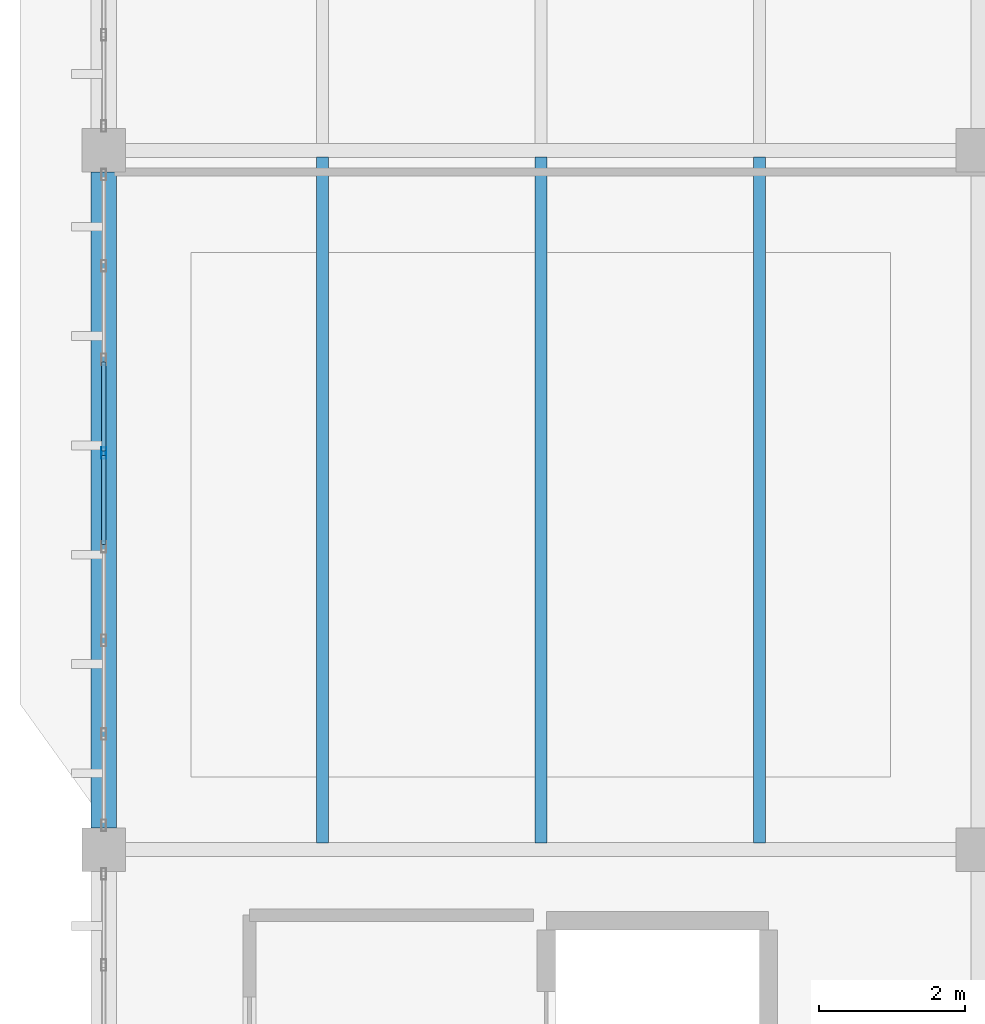
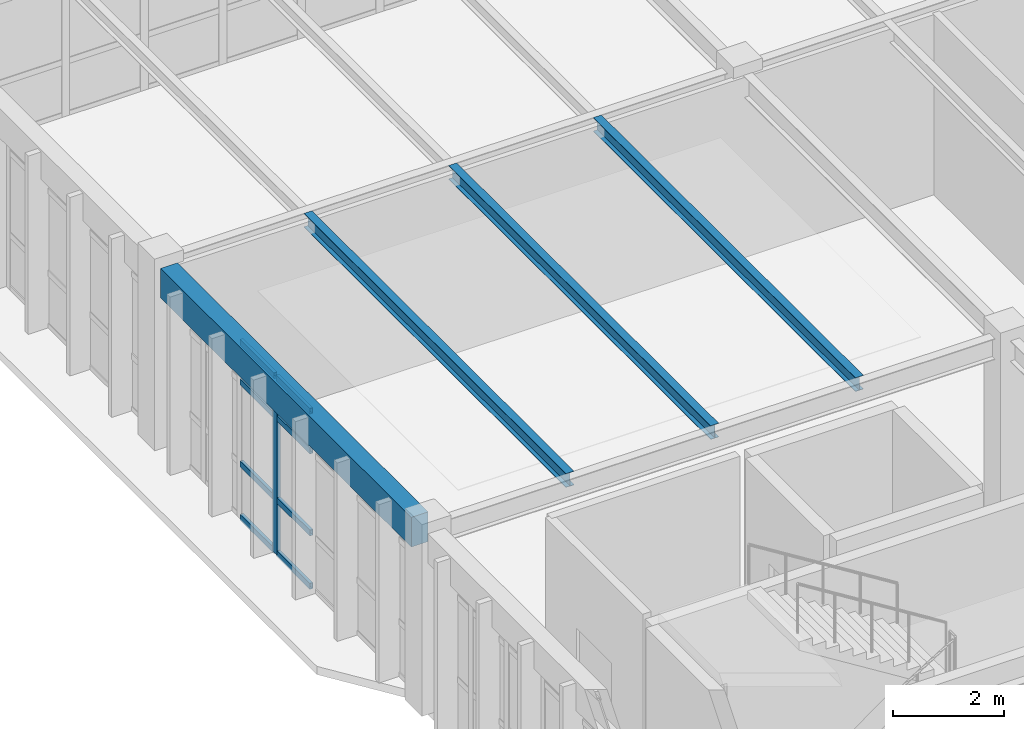
# One storey, part 12 of 37: 9 members, 4 beams, 1 element without a shape of its own.
"""IFC4 building model written with IfcOpenShell, lengths in metres."""

from ifc_helpers import new_model, si_unit, direction, frame, origin, origin_2d, place, context, subcontext, project, spatial, rectangle, hollow_rectangle, i_section, extrude, material, layer, layer_set, material_profile, profile_set, type_object, element, aggregate, save


model = new_model("IFC4")

# Units and contexts
model_context = context("Model", 3, precision=1e-05, world=origin(), true_north=direction((0.0, 1.0)))
body_context = subcontext(model_context, "Body", "Model", "MODEL_VIEW")
ifc_project = project(units=[si_unit("LENGTHUNIT", "METRE"), si_unit("AREAUNIT", "SQUARE_METRE"), si_unit("VOLUMEUNIT", "CUBIC_METRE"), si_unit("PLANEANGLEUNIT", "RADIAN"), si_unit("MASSUNIT", "GRAM", prefix="KILO")], contexts=[model_context])

# Site, building, storey
site_placement = place(None, origin())
site = spatial("IfcSite", under=ifc_project, at=site_placement, CompositionType="ELEMENT")
building_placement = place(site_placement, origin())
building = spatial("IfcBuilding", under=site, at=building_placement, Name="Pandanus Reach Market Hall", CompositionType="ELEMENT")
storey_placement = place(building_placement, frame((0.0, 0.0, 14.39990234375)))
storey = spatial("IfcBuildingStorey", under=building, at=storey_placement, Name="L03", CompositionType="ELEMENT", Elevation=14.39990234375)

# Beam
ifc_material_1 = material(Name="Concrete N40 (40 MPa)", Category="concrete")
ifc_material_profile_1 = material_profile(ifc_material_1, rectangle(XDim=0.35009765625, YDim=0.64990234375, at=origin_2d()), Name="RC350x650", Category="LoadBearing")
ifc_profile_set_1 = profile_set([ifc_material_profile_1], Name="Concrete N40 (40 MPa)")
beam_type_1 = type_object("IfcBeamType", Name="BM-RC350-E", PredefinedType="SPANDREL", material=ifc_profile_set_1)
beam_placement = place(storey_placement, frame((144.0, 57.89794921875, 3.630126953125), z_axis=(0.0, 1.0, 0.0), x_axis=(-1.0, 0.0, 0.0)))
element("IfcBeam", 1, at=beam_placement, inside=storey, type_object=beam_type_1, Name="Framing beam BM-RC350-E L03.557", PredefinedType="SPANDREL", context=body_context, shape_type="SweptSolid", body=[
    extrude(rectangle(XDim=0.35009765625, YDim=0.64990234375, at=origin_2d()), origin(), (0.0, 0.0, 1.0), 9.004150390625),
])

# Curtain wall, members
ifc_material_2 = material(Name="Bronze anodised aluminium and low-E glass", Category="aluminium")
ifc_layer = layer(ifc_material_2, 0.159912109375, Name="CW-33")
ifc_layer_set = layer_set([ifc_layer], Name="Bronze anodised aluminium and low-E glass")
curtain_wall_type = type_object("IfcCurtainWallType", Name="CW-33", PredefinedType="NOTDEFINED", material=ifc_layer_set)
curtain_wall_placement = place(storey_placement, origin())
curtain_wall = element("IfcCurtainWall", 2, at=curtain_wall_placement, inside=storey, type_object=curtain_wall_type, Name="Glazed curtain wall CW-33 CW-0125", PredefinedType="NOTDEFINED")
ifc_material_3 = material(Name="Bronze anodised aluminium", Category="aluminium")
ifc_material_profile_2 = material_profile(ifc_material_3, hollow_rectangle(XDim=0.06494140625, YDim=0.159912109375, WallThickness=0.00390625, at=origin_2d()), Name="ALU65x160", Category="LoadBearing")
ifc_profile_set_2 = profile_set([ifc_material_profile_2], Name="Bronze anodised aluminium")
member_type_1 = type_object("IfcMemberType", Name="CW-M1", PredefinedType="MULLION", material=ifc_profile_set_2)
member_1_placement = place(storey_placement, frame((144.0, 63.04296875, 0.0), z_axis=(0.0, 0.0, 1.0), x_axis=(-1.0, 0.0, 0.0)))
member_1 = element("IfcMember", 3, at=member_1_placement, type_object=member_type_1, Name="CW-33 mullion 5", PredefinedType="MULLION", context=body_context, shape_type="SweptSolid", body=[
    extrude(hollow_rectangle(XDim=0.06494140625, YDim=0.159912109375, WallThickness=0.00390625, at=origin_2d()), origin(), (0.0, 0.0, 1.0), 3.900146484375),
])
ifc_material_profile_3 = material_profile(ifc_material_3, hollow_rectangle(XDim=0.06494140625, YDim=0.1298828125, WallThickness=0.00390625, at=origin_2d()), Name="ALU65x130", Category="LoadBearing")
ifc_profile_set_3 = profile_set([ifc_material_profile_3], Name="Bronze anodised aluminium")
member_type_2 = type_object("IfcMemberType", Name="CW-T1", PredefinedType="USERDEFINED", material=ifc_profile_set_3)
member_2_placement = place(storey_placement, frame((144.0, 61.78955078125, 0.03271484375), z_axis=(0.0, 1.0, 0.0), x_axis=(-1.0, 0.0, 0.0)))
member_2 = element("IfcMember", 4, at=member_2_placement, type_object=member_type_2, Name="CW-33 transom 4.1", ObjectType="TRANSOM", PredefinedType="USERDEFINED", context=body_context, shape_type="SweptSolid", body=[
    extrude(hollow_rectangle(XDim=0.06494140625, YDim=0.1298828125, WallThickness=0.00390625, at=origin_2d()), origin(), (0.0, 0.0, 1.0), 1.220703125),
])
member_3_placement = place(storey_placement, frame((144.0, 61.78955078125, 1.2001953125), z_axis=(0.0, 1.0, 0.0), x_axis=(-1.0, 0.0, 0.0)))
member_3 = element("IfcMember", 5, at=member_3_placement, type_object=member_type_2, Name="CW-33 transom 4.2", ObjectType="TRANSOM", PredefinedType="USERDEFINED", context=body_context, shape_type="SweptSolid", body=[
    extrude(hollow_rectangle(XDim=0.06494140625, YDim=0.1298828125, WallThickness=0.00390625, at=origin_2d()), origin(), (0.0, 0.0, 1.0), 1.220703125),
])
member_4_placement = place(storey_placement, frame((144.0, 61.78955078125, 3.0), z_axis=(0.0, 1.0, 0.0), x_axis=(-1.0, 0.0, 0.0)))
member_4 = element("IfcMember", 6, at=member_4_placement, type_object=member_type_2, Name="CW-33 transom 4.3", ObjectType="TRANSOM", PredefinedType="USERDEFINED", context=body_context, shape_type="SweptSolid", body=[
    extrude(hollow_rectangle(XDim=0.06494140625, YDim=0.1298828125, WallThickness=0.00390625, at=origin_2d()), origin(), (0.0, 0.0, 1.0), 1.220703125),
])
member_5_placement = place(storey_placement, frame((144.0, 61.78955078125, 3.86767578125), z_axis=(0.0, 1.0, 0.0), x_axis=(-1.0, 0.0, 0.0)))
member_5 = element("IfcMember", 7, at=member_5_placement, type_object=member_type_2, Name="CW-33 transom 4.4", ObjectType="TRANSOM", PredefinedType="USERDEFINED", context=body_context, shape_type="SweptSolid", body=[
    extrude(hollow_rectangle(XDim=0.06494140625, YDim=0.1298828125, WallThickness=0.00390625, at=origin_2d()), origin(), (0.0, 0.0, 1.0), 1.220703125),
])
member_6_placement = place(storey_placement, frame((144.0, 63.075439453125, 0.03271484375), z_axis=(0.0, 1.0, 0.0), x_axis=(-1.0, 0.0, 0.0)))
member_6 = element("IfcMember", 8, at=member_6_placement, type_object=member_type_2, Name="CW-33 transom 5.1", ObjectType="TRANSOM", PredefinedType="USERDEFINED", context=body_context, shape_type="SweptSolid", body=[
    extrude(hollow_rectangle(XDim=0.06494140625, YDim=0.1298828125, WallThickness=0.00390625, at=origin_2d()), origin(), (0.0, 0.0, 1.0), 1.220703125),
])
member_7_placement = place(storey_placement, frame((144.0, 63.075439453125, 1.2001953125), z_axis=(0.0, 1.0, 0.0), x_axis=(-1.0, 0.0, 0.0)))
member_7 = element("IfcMember", 9, at=member_7_placement, type_object=member_type_2, Name="CW-33 transom 5.2", ObjectType="TRANSOM", PredefinedType="USERDEFINED", context=body_context, shape_type="SweptSolid", body=[
    extrude(hollow_rectangle(XDim=0.06494140625, YDim=0.1298828125, WallThickness=0.00390625, at=origin_2d()), origin(), (0.0, 0.0, 1.0), 1.220703125),
])
member_8_placement = place(storey_placement, frame((144.0, 63.075439453125, 3.0), z_axis=(0.0, 1.0, 0.0), x_axis=(-1.0, 0.0, 0.0)))
member_8 = element("IfcMember", 10, at=member_8_placement, type_object=member_type_2, Name="CW-33 transom 5.3", ObjectType="TRANSOM", PredefinedType="USERDEFINED", context=body_context, shape_type="SweptSolid", body=[
    extrude(hollow_rectangle(XDim=0.06494140625, YDim=0.1298828125, WallThickness=0.00390625, at=origin_2d()), origin(), (0.0, 0.0, 1.0), 1.220703125),
])
member_9_placement = place(storey_placement, frame((144.0, 63.075439453125, 3.86767578125), z_axis=(0.0, 1.0, 0.0), x_axis=(-1.0, 0.0, 0.0)))
member_9 = element("IfcMember", 11, at=member_9_placement, type_object=member_type_2, Name="CW-33 transom 5.4", ObjectType="TRANSOM", PredefinedType="USERDEFINED", context=body_context, shape_type="SweptSolid", body=[
    extrude(hollow_rectangle(XDim=0.06494140625, YDim=0.1298828125, WallThickness=0.00390625, at=origin_2d()), origin(), (0.0, 0.0, 1.0), 1.220703125),
])
aggregate(curtain_wall, [member_1, member_2, member_3, member_4, member_5, member_6, member_7, member_8, member_9])

# Beams
ifc_material_4 = material(Name="Steel Grade 350 (350 MPa)", Category="steel")
ifc_material_profile_4 = material_profile(ifc_material_4, i_section(OverallWidth=0.1650390625, OverallDepth=0.303955078125, WebThickness=0.006103515625, FlangeThickness=0.01025390625, at=origin_2d()), Name="310UB40.4", Category="LoadBearing")
ifc_profile_set_4 = profile_set([ifc_material_profile_4], Name="Steel Grade 350 (350 MPa)")
beam_type_2 = type_object("IfcBeamType", Name="JS-UB310-I", PredefinedType="JOIST", material=ifc_profile_set_4)
for number, where, z_axis, x_axis, name in (
    (12, (147.0, 57.693115234375, 3.802734375), (0.0, 1.0, 0.0), (-1.0, 0.0, 0.0), "Secondary joist JS-UB310-I L03.580"),
    (13, (150.0, 57.693115234375, 3.802734375), (0.0, 1.0, 0.0), (-1.0, 0.0, 0.0), "Secondary joist JS-UB310-I L03.581"),
    (14, (153.0, 57.693115234375, 3.802734375), (0.0, 1.0, 0.0), (-1.0, 0.0, 0.0), "Secondary joist JS-UB310-I L03.582"),
):
    element("IfcBeam", number, at=place(storey_placement, frame(where, z_axis=z_axis, x_axis=x_axis)), inside=storey, type_object=beam_type_2, Name=name, PredefinedType="JOIST", context=body_context, shape_type="SweptSolid", body=[
        extrude(i_section(OverallWidth=0.1650390625, OverallDepth=0.303955078125, WebThickness=0.006103515625, FlangeThickness=0.01025390625, at=origin_2d()), origin(), (0.0, 0.0, 1.0), 9.413818359375),
    ])

save(model, "model.ifc")
